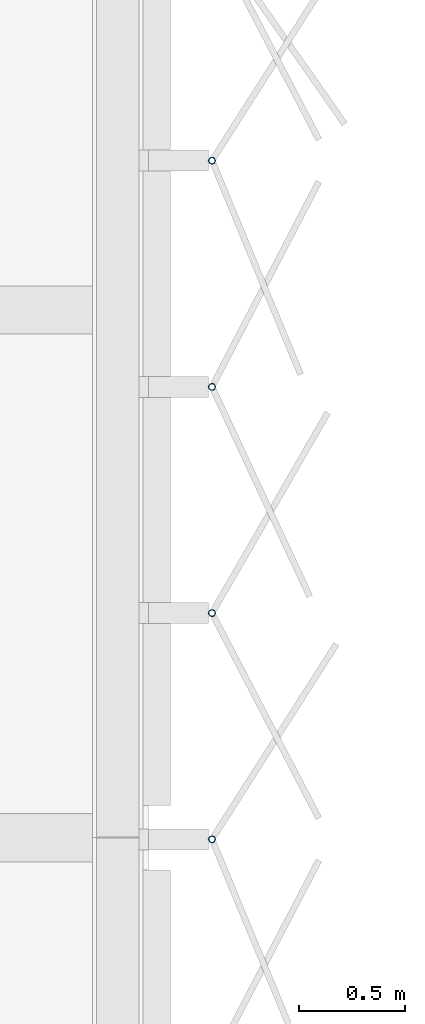
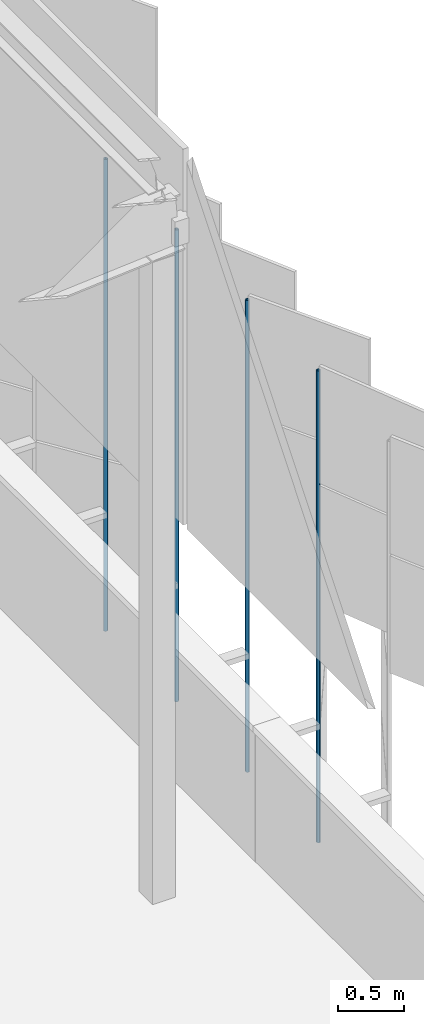
# One storey, part 182 of 483: 4 discrete accessories.
"""IFC4 building model written with IfcOpenShell, lengths in metres."""

from ifc_helpers import new_model, si_unit, direction, frame, origin, origin_2d, place, context, subcontext, project, spatial, hollow_circle, extrude, material, material_profile, profile_set, type_object, element, save


model = new_model("IFC4")

# Units and contexts
model_context = context("Model", 3, precision=1e-05, world=origin(), true_north=direction((0.0, 1.0)))
body_context = subcontext(model_context, "Body", "Model", "MODEL_VIEW")
ifc_project = project(units=[si_unit("LENGTHUNIT", "METRE"), si_unit("AREAUNIT", "SQUARE_METRE"), si_unit("VOLUMEUNIT", "CUBIC_METRE"), si_unit("PLANEANGLEUNIT", "RADIAN"), si_unit("MASSUNIT", "GRAM", prefix="KILO")], contexts=[model_context])

# Site, building, storey
site_placement = place(None, origin())
site = spatial("IfcSite", under=ifc_project, at=site_placement, CompositionType="ELEMENT")
building_placement = place(site_placement, origin())
building = spatial("IfcBuilding", under=site, at=building_placement, Name="Parallax Yard Mobility Hub", CompositionType="ELEMENT")
storey_placement = place(building_placement, frame((0.0, 0.0, 13.199951171875)))
storey = spatial("IfcBuildingStorey", under=building, at=storey_placement, Name="L04", CompositionType="ELEMENT", Elevation=13.199951171875)

# Discrete accessories
ifc_material = material(Name="Steel ASTM A500 Gr C, hot-dip galvanised", Category="steel")
ifc_material_profile = material_profile(ifc_material, hollow_circle(Radius=0.016845703125, WallThickness=0.003173828125, at=origin_2d()), Name="CHS 33.7x3.2")
ifc_profile_set = profile_set([ifc_material_profile], Name="Steel ASTM A500 Gr C, hot-dip galvanised")
discrete_accessory_type = type_object("IfcDiscreteAccessoryType", Name="Hinge post CHS 33.7x3.2", PredefinedType="BRACKET", material=ifc_profile_set)
for number, where, z_axis, x_axis, name in (
    (1, (225.300048828125, 52.491943359375, 0.0), (0.0, 0.0, 1.0), (1.0, 0.0, 0.0), "Hinge post bay 36.1 level L04"),
    (2, (225.300048828125, 53.563720703125, 0.0), (0.0, 0.0, 1.0), (1.0, 0.0, 0.0), "Hinge post bay 36.2 level L04"),
    (3, (225.300048828125, 54.63525390625, 0.0), (0.0, 0.0, 1.0), (1.0, 0.0, 0.0), "Hinge post bay 36.3 level L04"),
    (4, (225.300048828125, 55.70703125, 0.0), (0.0, 0.0, 1.0), (1.0, 0.0, 0.0), "Hinge post bay 36.4 level L04"),
):
    element("IfcDiscreteAccessory", number, at=place(storey_placement, frame(where, z_axis=z_axis, x_axis=x_axis)), inside=storey, type_object=discrete_accessory_type, Name=name, PredefinedType="BRACKET", context=body_context, shape_type="SweptSolid", body=[
        extrude(hollow_circle(Radius=0.016845703125, WallThickness=0.003173828125, at=origin_2d()), origin(), (0.0, 0.0, 1.0), 4.35009765625),
    ])

save(model, "model.ifc")
